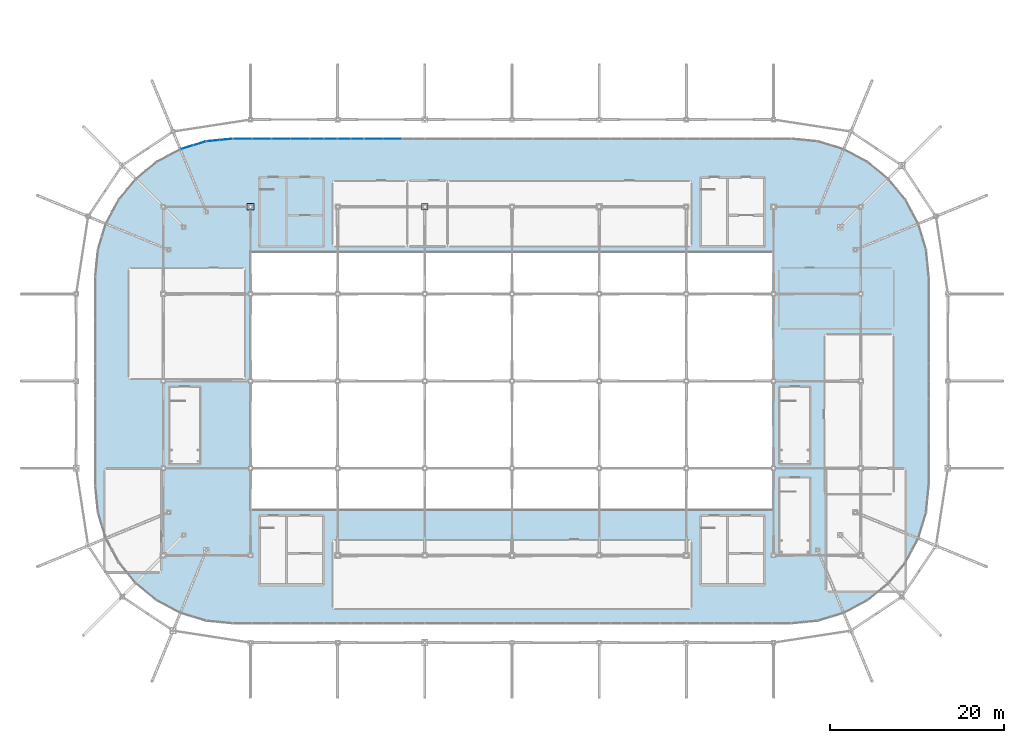
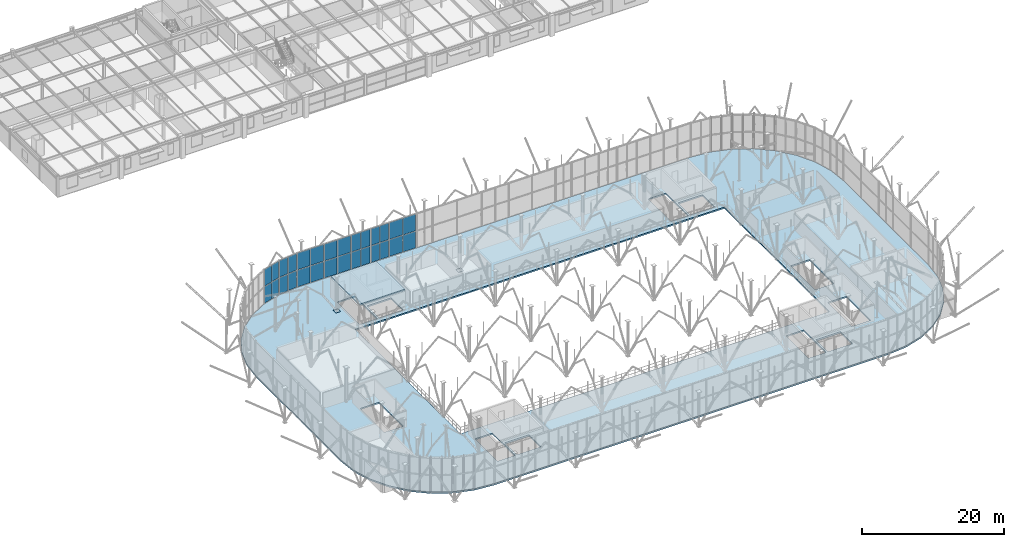
# One storey, part 88 of 109: 30 plates, 2 slabs, 7 elements without a shape of their own.
"""IFC4 building model written with IfcOpenShell, lengths in metres."""

from ifc_helpers import new_model, si_unit, derived_unit, direction, frame, origin, origin_2d_with_axis, place, context, subcontext, project, spatial, polyline, rectangle, outline, extrude, material, layer, layer_set, type_object, element, aggregate, save


model = new_model("IFC4")

# Units and contexts
model_context = context("Model", 3, precision=1e-05, world=origin(), true_north=direction((0.0, 1.0)))
body_context = subcontext(model_context, "Body", "Model", "MODEL_VIEW")
ifc_project = project(units=[si_unit("LENGTHUNIT", "METRE"), si_unit("AREAUNIT", "SQUARE_METRE"), si_unit("VOLUMEUNIT", "CUBIC_METRE"), si_unit("PLANEANGLEUNIT", "RADIAN"), si_unit("MASSUNIT", "GRAM", prefix="KILO"), derived_unit("THERMALTRANSMITTANCEUNIT", [(si_unit("POWERUNIT", "WATT"), 1), (si_unit("LENGTHUNIT", "METRE"), -2), (si_unit("THERMODYNAMICTEMPERATUREUNIT", "KELVIN"), -1)])], contexts=[model_context])

# Site, building, storey
site_placement = place(None, origin())
site = spatial("IfcSite", under=ifc_project, at=site_placement, CompositionType="ELEMENT")
building_placement = place(site_placement, origin())
building = spatial("IfcBuilding", under=site, at=building_placement, Name="Cinnabar Yard Market Hall", CompositionType="ELEMENT")
storey_placement = place(building_placement, frame((0.0, 0.0, 8.39990234375)))
storey = spatial("IfcBuildingStorey", under=building, at=storey_placement, Name="L02", CompositionType="ELEMENT", Elevation=8.39990234375)

# Curtain wall, plates
ifc_material_1 = material(Name="Anodised bronze aluminium and low-E glass", Category="aluminium")
curtain_wall_type_1 = type_object("IfcCurtainWallType", Name="CW-CWH030x60", PredefinedType="NOTDEFINED", material=ifc_material_1)
curtain_wall_1_placement = place(storey_placement, origin())
curtain_wall_1 = element("IfcCurtainWall", 1, at=curtain_wall_1_placement, inside=storey, type_object=curtain_wall_type_1, Name="Market Hall North Upper Clerestory B2A", PredefinedType="NOTDEFINED")
ifc_material_2 = material(Name="Low-E laminated glass", Category="glass")
ifc_layer_1 = layer(ifc_material_2, 0.031982421875)
ifc_layer_set_1 = layer_set([ifc_layer_1], Name="Low-E laminated glass")
plate_type_1 = type_object("IfcPlateType", Name="CWP-GP138x287", PredefinedType="CURTAIN_PANEL", material=ifc_layer_set_1)
plate_1_placement = place(storey_placement, frame((98.22998046875, 71.800048828125, 0.080078125), z_axis=(0.0, 0.0, 1.0), x_axis=(-1.0, 0.0, 0.0)))
plate_1 = element("IfcPlate", 2, at=plate_1_placement, type_object=plate_type_1, Name="CWH030x60 panel 1.1", PredefinedType="CURTAIN_PANEL", context=body_context, shape_type="SweptSolid", body=[
    extrude(rectangle(XDim=1.3798828125, YDim=0.031982421875, at=origin_2d_with_axis()), origin(), (0.0, 0.0, 1.0), 2.8701171875),
])
plate_2_placement = place(storey_placement, frame((98.22998046875, 71.800048828125, 3.030029296875), z_axis=(0.0, 0.0, 1.0), x_axis=(-1.0, 0.0, 0.0)))
plate_2 = element("IfcPlate", 3, at=plate_2_placement, type_object=plate_type_1, Name="CWH030x60 panel 1.2", PredefinedType="CURTAIN_PANEL", context=body_context, shape_type="SweptSolid", body=[
    extrude(rectangle(XDim=1.3798828125, YDim=0.031982421875, at=origin_2d_with_axis()), origin(), (0.0, 0.0, 1.0), 2.8701171875),
])
plate_3_placement = place(storey_placement, frame((96.77001953125, 71.800048828125, 0.080078125), z_axis=(0.0, 0.0, 1.0), x_axis=(-1.0, 0.0, 0.0)))
plate_3 = element("IfcPlate", 4, at=plate_3_placement, type_object=plate_type_1, Name="CWH030x60 panel 2.1", PredefinedType="CURTAIN_PANEL", context=body_context, shape_type="SweptSolid", body=[
    extrude(rectangle(XDim=1.3798828125, YDim=0.031982421875, at=origin_2d_with_axis()), origin(), (0.0, 0.0, 1.0), 2.8701171875),
])
plate_4_placement = place(storey_placement, frame((96.77001953125, 71.800048828125, 3.030029296875), z_axis=(0.0, 0.0, 1.0), x_axis=(-1.0, 0.0, 0.0)))
plate_4 = element("IfcPlate", 5, at=plate_4_placement, type_object=plate_type_1, Name="CWH030x60 panel 2.2", PredefinedType="CURTAIN_PANEL", context=body_context, shape_type="SweptSolid", body=[
    extrude(rectangle(XDim=1.3798828125, YDim=0.031982421875, at=origin_2d_with_axis()), origin(), (0.0, 0.0, 1.0), 2.8701171875),
])
aggregate(curtain_wall_1, [plate_1, plate_2, plate_3, plate_4])

ifc_material_3 = material(Name="Anodised bronze aluminium curved-chord facade", Category="aluminium")
curtain_wall_type_2 = type_object("IfcCurtainWallType", Name="CW-CWC031x60", PredefinedType="NOTDEFINED", material=ifc_material_3)
curtain_wall_2_placement = place(storey_placement, origin())
curtain_wall_2 = element("IfcCurtainWall", 6, at=curtain_wall_2_placement, inside=storey, type_object=curtain_wall_type_2, Name="Corner NW Chord 1 L02", PredefinedType="NOTDEFINED")
ifc_layer_2 = layer(ifc_material_2, 0.031982421875)
ifc_layer_set_2 = layer_set([ifc_layer_2], Name="Low-E laminated glass")
plate_type_2 = type_object("IfcPlateType", Name="CWP-GP141x286", PredefinedType="CURTAIN_PANEL", material=ifc_layer_set_2)
plate_5_placement = place(storey_placement, frame((83.20703125, 71.721923828125, 0.090087890625), z_axis=(0.0, 0.0, 1.0), x_axis=(-0.995184408637, -0.098020369342, 0.0)))
plate_5 = element("IfcPlate", 7, at=plate_5_placement, type_object=plate_type_2, Name="CWC031x60 panel 1.1", PredefinedType="CURTAIN_PANEL", context=body_context, shape_type="SweptSolid", body=[
    extrude(rectangle(XDim=1.41357421875, YDim=0.031982421875, at=origin_2d_with_axis()), origin(), (0.0, 0.0, 1.0), 2.85498046875),
])
plate_6_placement = place(storey_placement, frame((83.20703125, 71.721923828125, 3.03515625), z_axis=(0.0, 0.0, 1.0), x_axis=(-0.995184408637, -0.098020369342, 0.0)))
plate_6 = element("IfcPlate", 8, at=plate_6_placement, type_object=plate_type_2, Name="CWC031x60 panel 1.2", PredefinedType="CURTAIN_PANEL", context=body_context, shape_type="SweptSolid", body=[
    extrude(rectangle(XDim=1.41357421875, YDim=0.031982421875, at=origin_2d_with_axis()), origin(), (0.0, 0.0, 1.0), 2.85498046875),
])
plate_7_placement = place(storey_placement, frame((81.710693359375, 71.574462890625, 0.090087890625), z_axis=(0.0, 0.0, 1.0), x_axis=(-0.995184408637, -0.098020369342, 0.0)))
plate_7 = element("IfcPlate", 9, at=plate_7_placement, type_object=plate_type_2, Name="CWC031x60 panel 2.1", PredefinedType="CURTAIN_PANEL", context=body_context, shape_type="SweptSolid", body=[
    extrude(rectangle(XDim=1.41357421875, YDim=0.031982421875, at=origin_2d_with_axis()), origin(), (0.0, 0.0, 1.0), 2.85498046875),
])
plate_8_placement = place(storey_placement, frame((81.710693359375, 71.574462890625, 3.03515625), z_axis=(0.0, 0.0, 1.0), x_axis=(-0.995184408637, -0.098020369342, 0.0)))
plate_8 = element("IfcPlate", 10, at=plate_8_placement, type_object=plate_type_2, Name="CWC031x60 panel 2.2", PredefinedType="CURTAIN_PANEL", context=body_context, shape_type="SweptSolid", body=[
    extrude(rectangle(XDim=1.41357421875, YDim=0.031982421875, at=origin_2d_with_axis()), origin(), (0.0, 0.0, 1.0), 2.85498046875),
])
aggregate(curtain_wall_2, [plate_5, plate_6, plate_7, plate_8])

curtain_wall_3_placement = place(storey_placement, origin())
curtain_wall_3 = element("IfcCurtainWall", 11, at=curtain_wall_3_placement, inside=storey, type_object=curtain_wall_type_2, Name="Corner NW Chord 2 L02", PredefinedType="NOTDEFINED")
plate_9_placement = place(storey_placement, frame((80.155029296875, 71.26513671875, 0.090087890625), z_axis=(0.0, 0.0, 1.0), x_axis=(-0.956942090856, -0.290278891325, 0.0)))
plate_9 = element("IfcPlate", 12, at=plate_9_placement, type_object=plate_type_2, Name="CWC031x60 panel 1.1", PredefinedType="CURTAIN_PANEL", context=body_context, shape_type="SweptSolid", body=[
    extrude(rectangle(XDim=1.41357421875, YDim=0.031982421875, at=origin_2d_with_axis()), origin(), (0.0, 0.0, 1.0), 2.85498046875),
])
plate_10_placement = place(storey_placement, frame((80.155029296875, 71.26513671875, 3.03515625), z_axis=(0.0, 0.0, 1.0), x_axis=(-0.956942090856, -0.290278891325, 0.0)))
plate_10 = element("IfcPlate", 13, at=plate_10_placement, type_object=plate_type_2, Name="CWC031x60 panel 1.2", PredefinedType="CURTAIN_PANEL", context=body_context, shape_type="SweptSolid", body=[
    extrude(rectangle(XDim=1.41357421875, YDim=0.031982421875, at=origin_2d_with_axis()), origin(), (0.0, 0.0, 1.0), 2.85498046875),
])
plate_11_placement = place(storey_placement, frame((78.716064453125, 70.82861328125, 0.090087890625), z_axis=(0.0, 0.0, 1.0), x_axis=(-0.956942090856, -0.290278891325, 0.0)))
plate_11 = element("IfcPlate", 14, at=plate_11_placement, type_object=plate_type_2, Name="CWC031x60 panel 2.1", PredefinedType="CURTAIN_PANEL", context=body_context, shape_type="SweptSolid", body=[
    extrude(rectangle(XDim=1.41357421875, YDim=0.031982421875, at=origin_2d_with_axis()), origin(), (0.0, 0.0, 1.0), 2.85498046875),
])
plate_12_placement = place(storey_placement, frame((78.716064453125, 70.82861328125, 3.03515625), z_axis=(0.0, 0.0, 1.0), x_axis=(-0.956942090856, -0.290278891325, 0.0)))
plate_12 = element("IfcPlate", 15, at=plate_12_placement, type_object=plate_type_2, Name="CWC031x60 panel 2.2", PredefinedType="CURTAIN_PANEL", context=body_context, shape_type="SweptSolid", body=[
    extrude(rectangle(XDim=1.41357421875, YDim=0.031982421875, at=origin_2d_with_axis()), origin(), (0.0, 0.0, 1.0), 2.85498046875),
])
aggregate(curtain_wall_3, [plate_9, plate_10, plate_11, plate_12])

curtain_wall_type_3 = type_object("IfcCurtainWallType", Name="CW-CWH032x60", PredefinedType="NOTDEFINED", material=ifc_material_1)
curtain_wall_4_placement = place(storey_placement, origin())
curtain_wall_4 = element("IfcCurtainWall", 16, at=curtain_wall_4_placement, inside=storey, type_object=curtain_wall_type_3, Name="Market Hall North Upper Clerestory B1B", PredefinedType="NOTDEFINED")
ifc_layer_3 = layer(ifc_material_2, 0.031982421875)
ifc_layer_set_3 = layer_set([ifc_layer_3], Name="Low-E laminated glass")
plate_type_3 = type_object("IfcPlateType", Name="CWP-GP148x287", PredefinedType="CURTAIN_PANEL", material=ifc_layer_set_3)
plate_13_placement = place(storey_placement, frame((95.179931640625, 71.800048828125, 0.080078125), z_axis=(0.0, 0.0, 1.0), x_axis=(-1.0, 0.0, 0.0)))
plate_13 = element("IfcPlate", 17, at=plate_13_placement, type_object=plate_type_3, Name="CWH032x60 panel 1.1", PredefinedType="CURTAIN_PANEL", context=body_context, shape_type="SweptSolid", body=[
    extrude(rectangle(XDim=1.47998046875, YDim=0.031982421875, at=origin_2d_with_axis()), origin(), (0.0, 0.0, 1.0), 2.8701171875),
])
plate_14_placement = place(storey_placement, frame((95.179931640625, 71.800048828125, 3.030029296875), z_axis=(0.0, 0.0, 1.0), x_axis=(-1.0, 0.0, 0.0)))
plate_14 = element("IfcPlate", 18, at=plate_14_placement, type_object=plate_type_3, Name="CWH032x60 panel 1.2", PredefinedType="CURTAIN_PANEL", context=body_context, shape_type="SweptSolid", body=[
    extrude(rectangle(XDim=1.47998046875, YDim=0.031982421875, at=origin_2d_with_axis()), origin(), (0.0, 0.0, 1.0), 2.8701171875),
])
plate_15_placement = place(storey_placement, frame((93.6201171875, 71.800048828125, 0.080078125), z_axis=(0.0, 0.0, 1.0), x_axis=(-1.0, 0.0, 0.0)))
plate_15 = element("IfcPlate", 19, at=plate_15_placement, type_object=plate_type_3, Name="CWH032x60 panel 2.1", PredefinedType="CURTAIN_PANEL", context=body_context, shape_type="SweptSolid", body=[
    extrude(rectangle(XDim=1.47998046875, YDim=0.031982421875, at=origin_2d_with_axis()), origin(), (0.0, 0.0, 1.0), 2.8701171875),
])
plate_16_placement = place(storey_placement, frame((93.6201171875, 71.800048828125, 3.030029296875), z_axis=(0.0, 0.0, 1.0), x_axis=(-1.0, 0.0, 0.0)))
plate_16 = element("IfcPlate", 20, at=plate_16_placement, type_object=plate_type_3, Name="CWH032x60 panel 2.2", PredefinedType="CURTAIN_PANEL", context=body_context, shape_type="SweptSolid", body=[
    extrude(rectangle(XDim=1.47998046875, YDim=0.031982421875, at=origin_2d_with_axis()), origin(), (0.0, 0.0, 1.0), 2.8701171875),
])
aggregate(curtain_wall_4, [plate_13, plate_14, plate_15, plate_16])

curtain_wall_type_4 = type_object("IfcCurtainWallType", Name="CW-CWH044x60", PredefinedType="NOTDEFINED", material=ifc_material_1)
curtain_wall_5_placement = place(storey_placement, origin())
curtain_wall_5 = element("IfcCurtainWall", 21, at=curtain_wall_5_placement, inside=storey, type_object=curtain_wall_type_4, Name="Market Hall North Upper Clerestory B1A", PredefinedType="NOTDEFINED")
ifc_layer_4 = layer(ifc_material_2, 0.031982421875)
ifc_layer_set_4 = layer_set([ifc_layer_4], Name="Low-E laminated glass")
plate_type_4 = type_object("IfcPlateType", Name="CWP-GP208x287", PredefinedType="CURTAIN_PANEL", material=ifc_layer_set_4)
plate_17_placement = place(storey_placement, frame((87.280029296875, 71.800048828125, 0.080078125), z_axis=(0.0, 0.0, 1.0), x_axis=(-1.0, 0.0, 0.0)))
plate_17 = element("IfcPlate", 22, at=plate_17_placement, type_object=plate_type_4, Name="CWH044x60 panel 1.1", PredefinedType="CURTAIN_PANEL", context=body_context, shape_type="SweptSolid", body=[
    extrude(rectangle(XDim=2.080078125, YDim=0.031982421875, at=origin_2d_with_axis()), origin(), (0.0, 0.0, 1.0), 2.8701171875),
])
plate_18_placement = place(storey_placement, frame((87.280029296875, 71.800048828125, 3.030029296875), z_axis=(0.0, 0.0, 1.0), x_axis=(-1.0, 0.0, 0.0)))
plate_18 = element("IfcPlate", 23, at=plate_18_placement, type_object=plate_type_4, Name="CWH044x60 panel 1.2", PredefinedType="CURTAIN_PANEL", context=body_context, shape_type="SweptSolid", body=[
    extrude(rectangle(XDim=2.080078125, YDim=0.031982421875, at=origin_2d_with_axis()), origin(), (0.0, 0.0, 1.0), 2.8701171875),
])
plate_19_placement = place(storey_placement, frame((85.1201171875, 71.800048828125, 0.080078125), z_axis=(0.0, 0.0, 1.0), x_axis=(-1.0, 0.0, 0.0)))
plate_19 = element("IfcPlate", 24, at=plate_19_placement, type_object=plate_type_4, Name="CWH044x60 panel 2.1", PredefinedType="CURTAIN_PANEL", context=body_context, shape_type="SweptSolid", body=[
    extrude(rectangle(XDim=2.080078125, YDim=0.031982421875, at=origin_2d_with_axis()), origin(), (0.0, 0.0, 1.0), 2.8701171875),
])
plate_20_placement = place(storey_placement, frame((85.1201171875, 71.800048828125, 3.030029296875), z_axis=(0.0, 0.0, 1.0), x_axis=(-1.0, 0.0, 0.0)))
plate_20 = element("IfcPlate", 25, at=plate_20_placement, type_object=plate_type_4, Name="CWH044x60 panel 2.2", PredefinedType="CURTAIN_PANEL", context=body_context, shape_type="SweptSolid", body=[
    extrude(rectangle(XDim=2.080078125, YDim=0.031982421875, at=origin_2d_with_axis()), origin(), (0.0, 0.0, 1.0), 2.8701171875),
])
aggregate(curtain_wall_5, [plate_17, plate_18, plate_19, plate_20])

curtain_wall_6_placement = place(storey_placement, origin())
curtain_wall_6 = element("IfcCurtainWall", 26, at=curtain_wall_6_placement, inside=storey, type_object=curtain_wall_type_4, Name="Market Hall North Upper Clerestory PTW", PredefinedType="NOTDEFINED")
plate_21_placement = place(storey_placement, frame((91.679931640625, 71.800048828125, 0.080078125), z_axis=(0.0, 0.0, 1.0), x_axis=(-1.0, 0.0, 0.0)))
plate_21 = element("IfcPlate", 27, at=plate_21_placement, type_object=plate_type_4, Name="CWH044x60 panel 1.1", PredefinedType="CURTAIN_PANEL", context=body_context, shape_type="SweptSolid", body=[
    extrude(rectangle(XDim=2.080078125, YDim=0.031982421875, at=origin_2d_with_axis()), origin(), (0.0, 0.0, 1.0), 2.8701171875),
])
plate_22_placement = place(storey_placement, frame((91.679931640625, 71.800048828125, 3.030029296875), z_axis=(0.0, 0.0, 1.0), x_axis=(-1.0, 0.0, 0.0)))
plate_22 = element("IfcPlate", 28, at=plate_22_placement, type_object=plate_type_4, Name="CWH044x60 panel 1.2", PredefinedType="CURTAIN_PANEL", context=body_context, shape_type="SweptSolid", body=[
    extrude(rectangle(XDim=2.080078125, YDim=0.031982421875, at=origin_2d_with_axis()), origin(), (0.0, 0.0, 1.0), 2.8701171875),
])
plate_23_placement = place(storey_placement, frame((89.52001953125, 71.800048828125, 0.080078125), z_axis=(0.0, 0.0, 1.0), x_axis=(-1.0, 0.0, 0.0)))
plate_23 = element("IfcPlate", 29, at=plate_23_placement, type_object=plate_type_4, Name="CWH044x60 panel 2.1", PredefinedType="CURTAIN_PANEL", context=body_context, shape_type="SweptSolid", body=[
    extrude(rectangle(XDim=2.080078125, YDim=0.031982421875, at=origin_2d_with_axis()), origin(), (0.0, 0.0, 1.0), 2.8701171875),
])
plate_24_placement = place(storey_placement, frame((89.52001953125, 71.800048828125, 3.030029296875), z_axis=(0.0, 0.0, 1.0), x_axis=(-1.0, 0.0, 0.0)))
plate_24 = element("IfcPlate", 30, at=plate_24_placement, type_object=plate_type_4, Name="CWH044x60 panel 2.2", PredefinedType="CURTAIN_PANEL", context=body_context, shape_type="SweptSolid", body=[
    extrude(rectangle(XDim=2.080078125, YDim=0.031982421875, at=origin_2d_with_axis()), origin(), (0.0, 0.0, 1.0), 2.8701171875),
])
aggregate(curtain_wall_6, [plate_21, plate_22, plate_23, plate_24])

curtain_wall_7_placement = place(storey_placement, origin())
curtain_wall_7 = element("IfcCurtainWall", 31, at=curtain_wall_7_placement, inside=storey, type_object=curtain_wall_type_4, Name="Market Hall North Upper Clerestory PTB2", PredefinedType="NOTDEFINED")
plate_25_placement = place(storey_placement, frame((102.280029296875, 71.800048828125, 0.080078125), z_axis=(0.0, 0.0, 1.0), x_axis=(-1.0, 0.0, 0.0)))
plate_25 = element("IfcPlate", 32, at=plate_25_placement, type_object=plate_type_4, Name="CWH044x60 panel 1.1", PredefinedType="CURTAIN_PANEL", context=body_context, shape_type="SweptSolid", body=[
    extrude(rectangle(XDim=2.080078125, YDim=0.031982421875, at=origin_2d_with_axis()), origin(), (0.0, 0.0, 1.0), 2.8701171875),
])
plate_26_placement = place(storey_placement, frame((102.280029296875, 71.800048828125, 3.030029296875), z_axis=(0.0, 0.0, 1.0), x_axis=(-1.0, 0.0, 0.0)))
plate_26 = element("IfcPlate", 33, at=plate_26_placement, type_object=plate_type_4, Name="CWH044x60 panel 1.2", PredefinedType="CURTAIN_PANEL", context=body_context, shape_type="SweptSolid", body=[
    extrude(rectangle(XDim=2.080078125, YDim=0.031982421875, at=origin_2d_with_axis()), origin(), (0.0, 0.0, 1.0), 2.8701171875),
])
plate_27_placement = place(storey_placement, frame((100.1201171875, 71.800048828125, 0.080078125), z_axis=(0.0, 0.0, 1.0), x_axis=(-1.0, 0.0, 0.0)))
plate_27 = element("IfcPlate", 34, at=plate_27_placement, type_object=plate_type_4, Name="CWH044x60 panel 2.1", PredefinedType="CURTAIN_PANEL", context=body_context, shape_type="SweptSolid", body=[
    extrude(rectangle(XDim=2.080078125, YDim=0.031982421875, at=origin_2d_with_axis()), origin(), (0.0, 0.0, 1.0), 2.8701171875),
])
plate_28_placement = place(storey_placement, frame((100.1201171875, 71.800048828125, 3.030029296875), z_axis=(0.0, 0.0, 1.0), x_axis=(-1.0, 0.0, 0.0)))
plate_28 = element("IfcPlate", 35, at=plate_28_placement, type_object=plate_type_4, Name="CWH044x60 panel 2.2", PredefinedType="CURTAIN_PANEL", context=body_context, shape_type="SweptSolid", body=[
    extrude(rectangle(XDim=2.080078125, YDim=0.031982421875, at=origin_2d_with_axis()), origin(), (0.0, 0.0, 1.0), 2.8701171875),
])
aggregate(curtain_wall_7, [plate_25, plate_26, plate_27, plate_28])

# Plates
ifc_material_4 = material(Name="Steel Grade 350 (350 MPa)", Category="steel")
ifc_layer_5 = layer(ifc_material_4, 0.031982421875)
ifc_layer_set_5 = layer_set([ifc_layer_5], Name="Steel Grade 350 (350 MPa)")
plate_type_5 = type_object("IfcPlateType", Name="PL-NP10", PredefinedType="SHEET", material=ifc_layer_set_5)
for number, where, z_axis, x_axis, name in (
    (36, (86.0, 64.0, -0.01611328125), (0.0, 0.0, 1.0), (1.0, 0.0, 0.0), "Tree Collar Plate V1I-02-05"),
    (37, (106.0, 64.0, -0.01611328125), (0.0, 0.0, 1.0), (1.0, 0.0, 0.0), "Tree Collar Plate V1I-04-05"),
):
    element("IfcPlate", number, at=place(storey_placement, frame(where, z_axis=z_axis, x_axis=x_axis)), inside=storey, type_object=plate_type_5, Name=name, PredefinedType="SHEET", context=body_context, shape_type="SweptSolid", body=[
        extrude(rectangle(XDim=0.780029296875, YDim=0.780029296875, at=origin_2d_with_axis()), origin(), (0.0, 0.0, 1.0), 0.031982421875),
    ])

# Slabs
ifc_material_5 = material(Name="Concrete 40 MPa", Category="concrete")
ifc_layer_6 = layer(ifc_material_5, 0.25)
ifc_layer_set_6 = layer_set([ifc_layer_6], Name="Concrete 40 MPa")
slab_type_1 = type_object("IfcSlabType", Name="SL-L02", PredefinedType="FLOOR", material=ifc_layer_set_6)
slab_1_placement = place(storey_placement, frame((0.0, 0.0, -0.25)))
element("IfcSlab", 38, at=slab_1_placement, inside=storey, type_object=slab_type_1, Name="L02 Market Upper Balcony Slab", PredefinedType="FLOOR", context=body_context, shape_type="SweptSolid", body=[
    extrude(outline(polyline([(68.199951171875, 32.0), (68.503662109375, 28.91748046875), (69.402587890625, 25.95361328125), (70.86279296875, 23.221923828125), (72.82763671875, 20.82763671875), (75.221923828125, 18.86279296875), (77.95361328125, 17.402587890625), (80.91748046875, 16.503662109375), (84.0, 16.199951171875), (148.0, 16.199951171875), (151.08251953125, 16.503662109375), (154.04638671875, 17.402587890625), (156.778076171875, 18.86279296875), (159.17236328125, 20.82763671875), (161.13720703125, 23.221923828125), (162.597412109375, 25.95361328125), (163.496337890625, 28.91748046875), (163.800048828125, 32.0), (163.800048828125, 56.0), (163.496337890625, 59.08251953125), (162.597412109375, 62.04638671875), (161.13720703125, 64.778076171875), (159.17236328125, 67.17236328125), (156.778076171875, 69.13720703125), (154.04638671875, 70.597412109375), (151.08251953125, 71.496337890625), (148.0, 71.800048828125), (84.0, 71.800048828125), (80.91748046875, 71.496337890625), (77.95361328125, 70.597412109375), (75.221923828125, 69.13720703125), (72.82763671875, 67.17236328125), (70.86279296875, 64.778076171875), (69.402587890625, 62.04638671875), (68.503662109375, 59.08251953125), (68.199951171875, 56.0), (68.199951171875, 32.0)]), holes=[polyline([(86.0, 29.199951171875), (146.0, 29.199951171875), (146.0, 58.800048828125), (86.0, 58.800048828125), (86.0, 29.199951171875)]), polyline([(87.139892578125, 27.094970703125), (87.139892578125, 20.739990234375), (90.0, 20.739990234375), (90.0, 27.094970703125), (87.139892578125, 27.094970703125)]), polyline([(90.300048828125, 20.75), (94.25, 20.75), (94.25, 24.14990234375), (90.300048828125, 24.14990234375), (90.300048828125, 20.75)]), polyline([(137.739990234375, 27.094970703125), (137.739990234375, 20.739990234375), (140.60009765625, 20.739990234375), (140.60009765625, 27.094970703125), (137.739990234375, 27.094970703125)]), polyline([(140.89990234375, 20.75), (144.85009765625, 20.75), (144.85009765625, 24.14990234375), (140.89990234375, 24.14990234375), (140.89990234375, 20.75)]), polyline([(87.139892578125, 65.89501953125), (87.139892578125, 59.5400390625), (90.0, 59.5400390625), (90.0, 65.89501953125), (87.139892578125, 65.89501953125)]), polyline([(90.300048828125, 59.550048828125), (94.25, 59.550048828125), (94.25, 62.949951171875), (90.300048828125, 62.949951171875), (90.300048828125, 59.550048828125)]), polyline([(137.739990234375, 65.89501953125), (137.739990234375, 59.5400390625), (140.60009765625, 59.5400390625), (140.60009765625, 65.89501953125), (137.739990234375, 65.89501953125)]), polyline([(140.89990234375, 59.550048828125), (144.85009765625, 59.550048828125), (144.85009765625, 62.949951171875), (140.89990234375, 62.949951171875), (140.89990234375, 59.550048828125)]), polyline([(76.89990234375, 41.635009765625), (76.89990234375, 34.85009765625), (79.9599609375, 34.85009765625), (79.9599609375, 41.635009765625), (76.89990234375, 41.635009765625)]), polyline([(146.89990234375, 41.635009765625), (146.89990234375, 34.85009765625), (149.9599609375, 34.85009765625), (149.9599609375, 41.635009765625), (146.89990234375, 41.635009765625)]), polyline([(146.89990234375, 31.235107421875), (146.89990234375, 24.449951171875), (149.9599609375, 24.449951171875), (149.9599609375, 31.235107421875), (146.89990234375, 31.235107421875)])]), origin(), (0.0, 0.0, 1.0), 0.25),
])
ifc_layer_7 = layer(ifc_material_5, 0.239990234375)
ifc_layer_set_7 = layer_set([ifc_layer_7], Name="Concrete 40 MPa")
slab_type_2 = type_object("IfcSlabType", Name="SL-L03", PredefinedType="FLOOR", material=ifc_layer_set_7)
slab_2_placement = place(storey_placement, frame((0.0, 0.0, 3.360107421875)))
element("IfcSlab", 39, at=slab_2_placement, inside=storey, type_object=slab_type_2, Name="Core C3 Shaft Cap Slab", PredefinedType="FLOOR", context=body_context, shape_type="SweptSolid", body=[
    extrude(outline(polyline([(87.0, 59.39990234375), (94.39990234375, 59.39990234375), (94.39990234375, 67.39990234375), (87.0, 67.39990234375), (87.0, 59.39990234375)])), origin(), (0.0, 0.0, 1.0), 0.239990234375),
])

save(model, "model.ifc")
